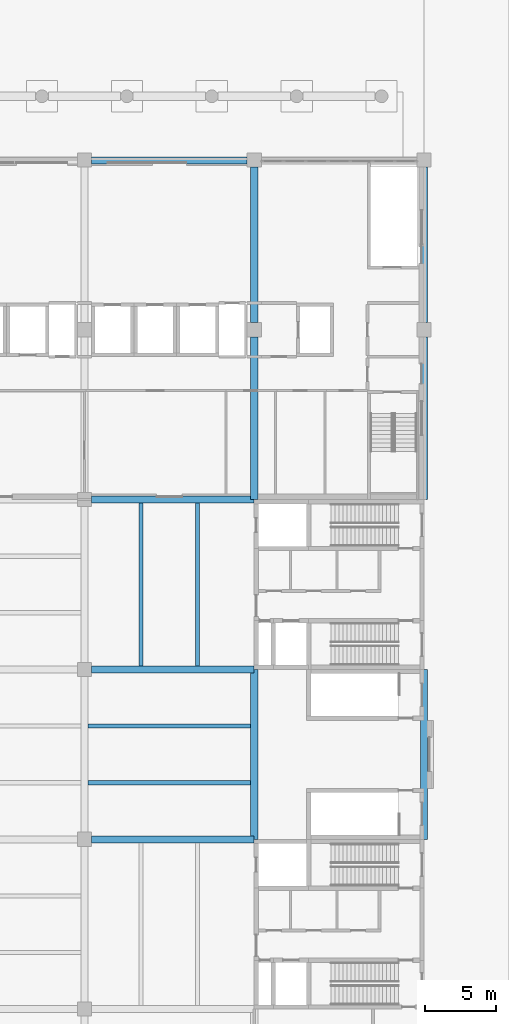
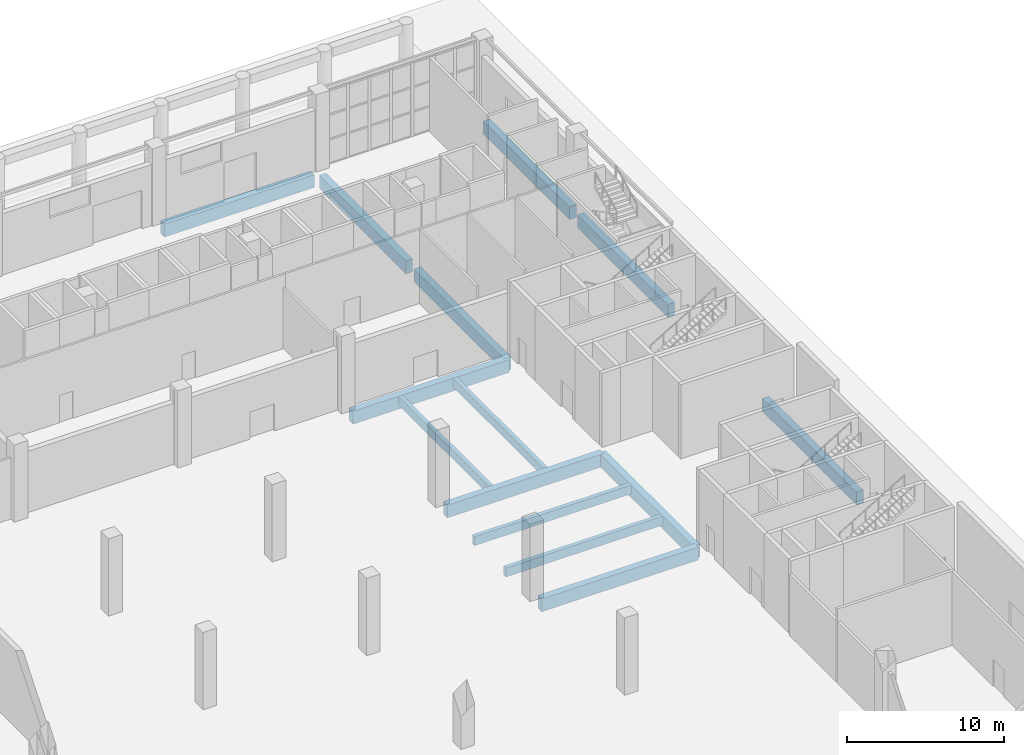
# One storey, part 23 of 59: 14 beams.
"""IFC4 building model written with IfcOpenShell, lengths in metres."""

from ifc_helpers import new_model, si_unit, direction, frame, origin, origin_2d, place, context, subcontext, project, spatial, rectangle, extrude, material, material_profile, profile_set, type_object, element, save


model = new_model("IFC4")

# Units and contexts
model_context = context("Model", 3, precision=1e-05, world=origin(), true_north=direction((0.0, 1.0)))
body_context = subcontext(model_context, "Body", "Model", "MODEL_VIEW")
ifc_project = project(units=[si_unit("LENGTHUNIT", "METRE"), si_unit("AREAUNIT", "SQUARE_METRE"), si_unit("VOLUMEUNIT", "CUBIC_METRE"), si_unit("PLANEANGLEUNIT", "RADIAN"), si_unit("MASSUNIT", "GRAM", prefix="KILO")], contexts=[model_context])

# Site, building, storey
site_placement = place(None, origin())
site = spatial("IfcSite", under=ifc_project, at=site_placement, CompositionType="ELEMENT")
building_placement = place(site_placement, origin())
building = spatial("IfcBuilding", under=site, at=building_placement, Name="Lilac Gate Convention Centre", CompositionType="ELEMENT")
storey_placement = place(building_placement, origin())
storey = spatial("IfcBuildingStorey", under=building, at=storey_placement, Name="L00", CompositionType="ELEMENT", Elevation=0.0)

# Beams
ifc_material = material(Name="Concrete C40", Category="concrete")
ifc_material_profile_1 = material_profile(ifc_material, rectangle(XDim=0.5, YDim=1.0, at=origin_2d()), Name="RC 500x1000")
ifc_profile_set_1 = profile_set([ifc_material_profile_1], Name="Concrete C40")
beam_type_1 = type_object("IfcBeamType", Name="Primary beam 500x1000 C40", PredefinedType="BEAM", material=ifc_profile_set_1)
for number, where, z_axis, x_axis, name in (
    (1, (66.5, 198.0, -0.800048828125), (1.0, 0.0, 0.0), (0.0, 1.0, 0.0), "RB1 L00 6/Q-7/Q"),
    (2, (66.5, 210.0, -0.800048828125), (1.0, 0.0, 0.0), (0.0, 1.0, 0.0), "RB1 L00 6/R-7/R"),
    (3, (66.5, 222.0, -0.800048828125), (1.0, 0.0, 0.0), (0.0, 1.0, 0.0), "RB1 L00 6/S-7/S"),
):
    element("IfcBeam", number, at=place(storey_placement, frame(where, z_axis=z_axis, x_axis=x_axis)), inside=storey, type_object=beam_type_1, Name=name, PredefinedType="BEAM", context=body_context, shape_type="SweptSolid", body=[
        extrude(rectangle(XDim=0.5, YDim=1.0, at=origin_2d()), origin(), (0.0, 0.0, 1.0), 11.5),
    ])
beam_1_placement = place(storey_placement, frame((66.5, 245.949951171875, -0.800048828125), z_axis=(1.0, 0.0, 0.0), x_axis=(0.0, 1.0, 0.0)))
element("IfcBeam", 4, at=beam_1_placement, inside=storey, type_object=beam_type_1, Name="RB1 L00 6/U-7/U", PredefinedType="BEAM", context=body_context, shape_type="SweptSolid", body=[
    extrude(rectangle(XDim=0.5, YDim=1.0, at=origin_2d()), origin(), (0.0, 0.0, 1.0), 11.0),
])
beam_2_placement = place(storey_placement, frame((78.0, 198.0, -0.800048828125), z_axis=(0.0, 1.0, 0.0), x_axis=(-1.0, 0.0, 0.0)))
element("IfcBeam", 5, at=beam_2_placement, inside=storey, type_object=beam_type_1, Name="RB1 L00 7/Q-7/R", PredefinedType="BEAM", context=body_context, shape_type="SweptSolid", body=[
    extrude(rectangle(XDim=0.5, YDim=1.0, at=origin_2d()), origin(), (0.0, 0.0, 1.0), 12.0),
])
beam_3_placement = place(storey_placement, frame((78.0, 222.0, -0.800048828125), z_axis=(0.0, 1.0, 0.0), x_axis=(-1.0, 0.0, 0.0)))
element("IfcBeam", 6, at=beam_3_placement, inside=storey, type_object=beam_type_1, Name="RB1 L00 7/S-7/T", PredefinedType="BEAM", context=body_context, shape_type="SweptSolid", body=[
    extrude(rectangle(XDim=0.5, YDim=1.0, at=origin_2d()), origin(), (0.0, 0.0, 1.0), 11.5),
])
beam_4_placement = place(storey_placement, frame((78.0, 234.5, -0.800048828125), z_axis=(0.0, 1.0, 0.0), x_axis=(-1.0, 0.0, 0.0)))
element("IfcBeam", 7, at=beam_4_placement, inside=storey, type_object=beam_type_1, Name="RB1 L00 7/T-7/U", PredefinedType="BEAM", context=body_context, shape_type="SweptSolid", body=[
    extrude(rectangle(XDim=0.5, YDim=1.0, at=origin_2d()), origin(), (0.0, 0.0, 1.0), 11.0),
])
beam_5_placement = place(storey_placement, frame((90.0, 198.0, -0.800048828125), z_axis=(0.0, 1.0, 0.0), x_axis=(-1.0, 0.0, 0.0)))
element("IfcBeam", 8, at=beam_5_placement, inside=storey, type_object=beam_type_1, Name="RB1 L00 8/Q-8/R", PredefinedType="BEAM", context=body_context, shape_type="SweptSolid", body=[
    extrude(rectangle(XDim=0.5, YDim=1.0, at=origin_2d()), origin(), (0.0, 0.0, 1.0), 12.0),
])
beam_6_placement = place(storey_placement, frame((90.0, 222.0, -0.800048828125), z_axis=(0.0, 1.0, 0.0), x_axis=(-1.0, 0.0, 0.0)))
element("IfcBeam", 9, at=beam_6_placement, inside=storey, type_object=beam_type_1, Name="RB1 L00 8/S-8/T", PredefinedType="BEAM", context=body_context, shape_type="SweptSolid", body=[
    extrude(rectangle(XDim=0.5, YDim=1.0, at=origin_2d()), origin(), (0.0, 0.0, 1.0), 11.5),
])
beam_7_placement = place(storey_placement, frame((90.0, 234.5, -0.800048828125), z_axis=(0.0, 1.0, 0.0), x_axis=(-1.0, 0.0, 0.0)))
element("IfcBeam", 10, at=beam_7_placement, inside=storey, type_object=beam_type_1, Name="RB1 L00 8/T-8/U", PredefinedType="BEAM", context=body_context, shape_type="SweptSolid", body=[
    extrude(rectangle(XDim=0.5, YDim=1.0, at=origin_2d()), origin(), (0.0, 0.0, 1.0), 11.0),
])
ifc_material_profile_2 = material_profile(ifc_material, rectangle(XDim=0.300048828125, YDim=0.699951171875, at=origin_2d()), Name="RC 300x700")
ifc_profile_set_2 = profile_set([ifc_material_profile_2], Name="Concrete C40")
beam_type_2 = type_object("IfcBeamType", Name="Secondary beam 300x700 C40", PredefinedType="BEAM", material=ifc_profile_set_2)
for number, where, z_axis, x_axis, name in (
    (11, (66.25, 202.0, -0.64990234375), (1.0, 0.0, 0.0), (0.0, 1.0, 0.0), "RB2 L00 bay 6/Q"),
    (12, (66.25, 206.0, -0.64990234375), (1.0, 0.0, 0.0), (0.0, 1.0, 0.0), "RB2 L00 bay 6/Q"),
    (13, (70.0, 210.25, -0.64990234375), (0.0, 1.0, 0.0), (-1.0, 0.0, 0.0), "RB2 L00 bay 6/R"),
    (14, (74.0, 210.25, -0.64990234375), (0.0, 1.0, 0.0), (-1.0, 0.0, 0.0), "RB2 L00 bay 6/R"),
):
    element("IfcBeam", number, at=place(storey_placement, frame(where, z_axis=z_axis, x_axis=x_axis)), inside=storey, type_object=beam_type_2, Name=name, PredefinedType="BEAM", context=body_context, shape_type="SweptSolid", body=[
        extrude(rectangle(XDim=0.300048828125, YDim=0.699951171875, at=origin_2d()), origin(), (0.0, 0.0, 1.0), 11.5),
    ])

save(model, "model.ifc")
